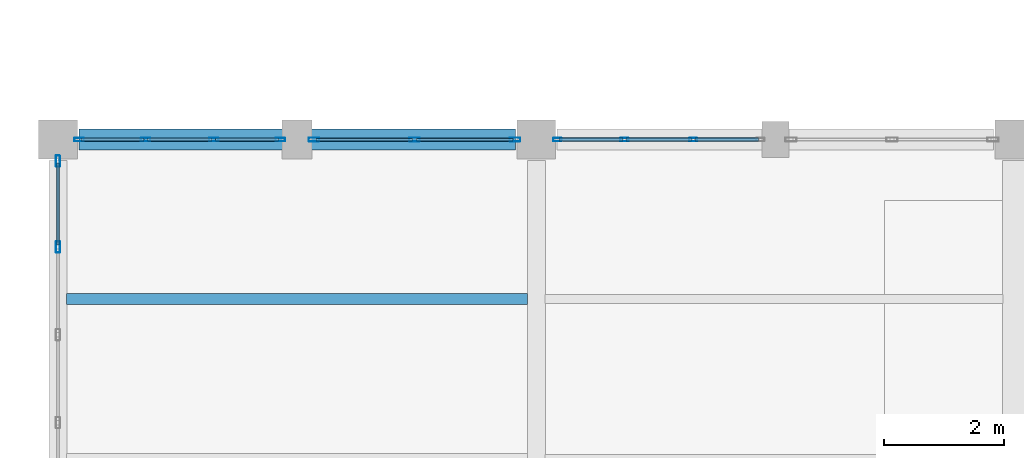
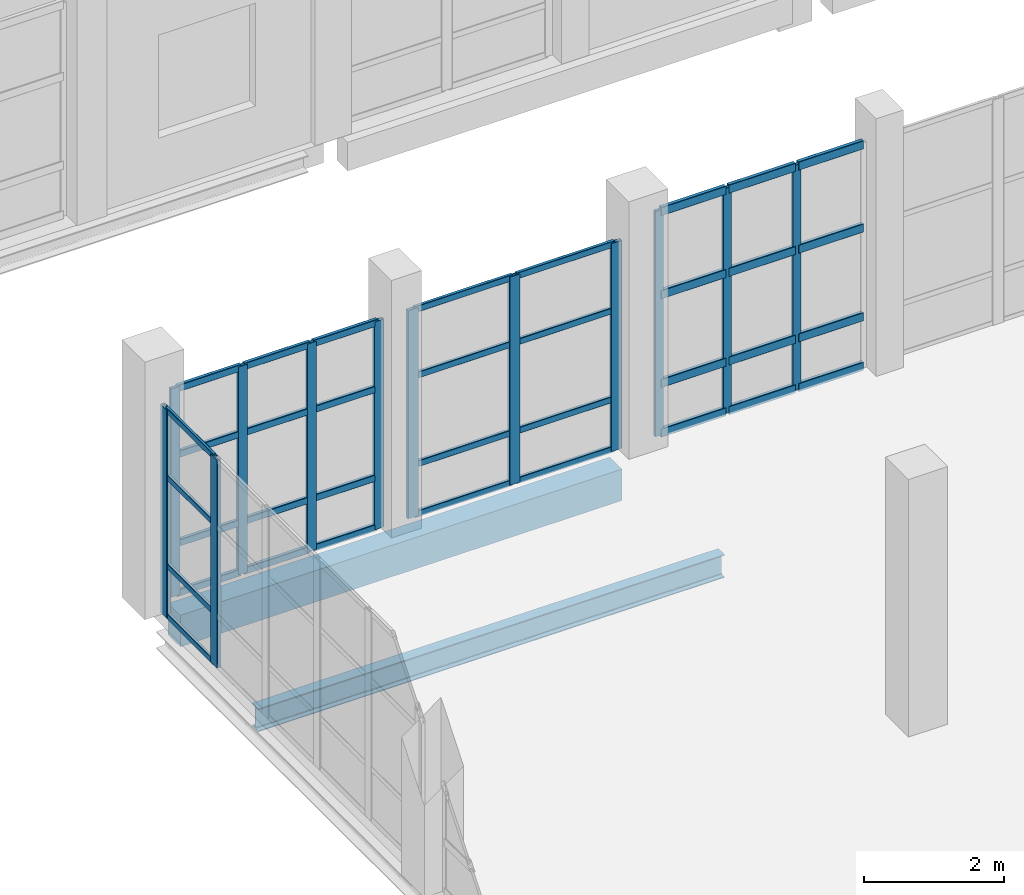
# One storey, part 21 of 183: 48 members, 2 beams, 4 elements without a shape of their own.
"""IFC4 building model written with IfcOpenShell, lengths in metres."""

from ifc_helpers import new_model, si_unit, direction, frame, origin, origin_2d, place, context, subcontext, project, spatial, rectangle, hollow_rectangle, i_section, extrude, material, material_profile, profile_set, type_object, element, aggregate, save


model = new_model("IFC4")

# Units and contexts
model_context = context("Model", 3, precision=1e-05, world=origin(), true_north=direction((0.0, 1.0)))
body_context = subcontext(model_context, "Body", "Model", "MODEL_VIEW")
ifc_project = project(units=[si_unit("LENGTHUNIT", "METRE"), si_unit("AREAUNIT", "SQUARE_METRE"), si_unit("VOLUMEUNIT", "CUBIC_METRE"), si_unit("PLANEANGLEUNIT", "RADIAN"), si_unit("MASSUNIT", "GRAM", prefix="KILO")], contexts=[model_context])

# Site, building, storey
site_placement = place(None, origin())
site = spatial("IfcSite", under=ifc_project, at=site_placement, CompositionType="ELEMENT")
building_placement = place(site_placement, origin())
building = spatial("IfcBuilding", under=site, at=building_placement, Name="Luwemba Playhouse", CompositionType="ELEMENT")
storey_placement = place(building_placement, frame((0.0, 0.0, 4.800048828125)))
storey = spatial("IfcBuildingStorey", under=building, at=storey_placement, Name="L01", CompositionType="ELEMENT", Elevation=4.800048828125)

# Beams
ifc_material_1 = material(Name="Steel S355", Category="steel")
ifc_material_profile_1 = material_profile(ifc_material_1, i_section(OverallWidth=0.179931640625, OverallDepth=0.39990234375, WebThickness=0.008544921875, FlangeThickness=0.013427734375, FilletRadius=0.02099609375, at=origin_2d()))
ifc_profile_set_1 = profile_set([ifc_material_profile_1], Name="Steel S355")
beam_type_1 = type_object("IfcBeamType", Name="BM-SJ08", PredefinedType="JOIST", material=ifc_profile_set_1)
beam_1_placement = place(storey_placement, frame((4.14599609375, 24.333251953125, -0.449951171875), z_axis=(1.0, 0.0, 0.0), x_axis=(0.0, 1.0, 0.0)))
element("IfcBeam", 1, at=beam_1_placement, inside=storey, type_object=beam_type_1, Name="L01 composite floor joist 0279", PredefinedType="JOIST", context=body_context, shape_type="SweptSolid", body=[
    extrude(i_section(OverallWidth=0.179931640625, OverallDepth=0.39990234375, WebThickness=0.008544921875, FlangeThickness=0.013427734375, FilletRadius=0.02099609375, at=origin_2d()), origin(), (0.0, 0.0, 1.0), 7.7080078125),
])
ifc_material_2 = material(Name="Concrete C40/50", Category="concrete")
ifc_material_profile_2 = material_profile(ifc_material_2, rectangle(XDim=0.35009765625, YDim=0.550048828125, at=origin_2d()))
ifc_profile_set_2 = profile_set([ifc_material_profile_2], Name="Concrete C40/50")
beam_type_2 = type_object("IfcBeamType", Name="BM-SP2", PredefinedType="SPANDREL", material=ifc_profile_set_2)
beam_2_placement = place(storey_placement, frame((4.35009765625, 27.0, -0.525146484375), z_axis=(1.0, 0.0, 0.0), x_axis=(0.0, 1.0, 0.0)))
element("IfcBeam", 2, at=beam_2_placement, inside=storey, type_object=beam_type_2, Name="L01 grid girder 0489", PredefinedType="SPANDREL", context=body_context, shape_type="SweptSolid", body=[
    extrude(rectangle(XDim=0.35009765625, YDim=0.550048828125, at=origin_2d()), origin(), (0.0, 0.0, 1.0), 7.2998046875),
])

# Curtain wall, members
ifc_material_3 = material(Name="Solar-control double glazing", Category="glass")
curtain_wall_type_1 = type_object("IfcCurtainWallType", Name="CW-CW92", PredefinedType="USERDEFINED", material=ifc_material_3)
curtain_wall_1_placement = place(storey_placement, origin())
curtain_wall_1 = element("IfcCurtainWall", 3, at=curtain_wall_1_placement, inside=storey, type_object=curtain_wall_type_1, Name="L01 V5W unitised curtain wall 122", ObjectType="UNITISED GLAZING", PredefinedType="USERDEFINED")
ifc_material_4 = material(Name="Aluminium 6063-T6", Category="aluminium")
ifc_material_profile_3 = material_profile(ifc_material_4, hollow_rectangle(XDim=0.06005859375, YDim=0.159912109375, WallThickness=0.00390625, InnerFilletRadius=0.006103515625, OuterFilletRadius=0.010009765625, at=origin_2d()))
ifc_profile_set_3 = profile_set([ifc_material_profile_3], Name="Aluminium 6063-T6")
member_type_1 = type_object("IfcMemberType", Name="CWM-M1", PredefinedType="MULLION", material=ifc_profile_set_3)
member_1_placement = place(storey_placement, frame((4.35498046875, 27.0, 0.0), z_axis=(0.0, 0.0, 1.0), x_axis=(0.0, 1.0, 0.0)))
member_1 = element("IfcMember", 4, at=member_1_placement, type_object=member_type_1, Name="CW92 mullion 1", PredefinedType="MULLION", context=body_context, shape_type="SweptSolid", body=[
    extrude(hollow_rectangle(XDim=0.06005859375, YDim=0.159912109375, WallThickness=0.00390625, InnerFilletRadius=0.006103515625, OuterFilletRadius=0.010009765625, at=origin_2d()), origin(), (0.0, 0.0, 1.0), 3.635009765625),
])
member_2_placement = place(storey_placement, frame((5.466552734375, 27.0, 0.0), z_axis=(0.0, 0.0, 1.0), x_axis=(0.0, 1.0, 0.0)))
member_2 = element("IfcMember", 5, at=member_2_placement, type_object=member_type_1, Name="CW92 mullion 2", PredefinedType="MULLION", context=body_context, shape_type="SweptSolid", body=[
    extrude(hollow_rectangle(XDim=0.06005859375, YDim=0.159912109375, WallThickness=0.00390625, InnerFilletRadius=0.006103515625, OuterFilletRadius=0.010009765625, at=origin_2d()), origin(), (0.0, 0.0, 1.0), 3.635009765625),
])
member_3_placement = place(storey_placement, frame((6.6083984375, 27.0, 0.0), z_axis=(0.0, 0.0, 1.0), x_axis=(0.0, 1.0, 0.0)))
member_3 = element("IfcMember", 6, at=member_3_placement, type_object=member_type_1, Name="CW92 mullion 3", PredefinedType="MULLION", context=body_context, shape_type="SweptSolid", body=[
    extrude(hollow_rectangle(XDim=0.06005859375, YDim=0.159912109375, WallThickness=0.00390625, InnerFilletRadius=0.006103515625, OuterFilletRadius=0.010009765625, at=origin_2d()), origin(), (0.0, 0.0, 1.0), 3.635009765625),
])
member_4_placement = place(storey_placement, frame((7.719970703125, 27.0, 0.0), z_axis=(0.0, 0.0, 1.0), x_axis=(0.0, 1.0, 0.0)))
member_4 = element("IfcMember", 7, at=member_4_placement, type_object=member_type_1, Name="CW92 mullion 4", PredefinedType="MULLION", context=body_context, shape_type="SweptSolid", body=[
    extrude(hollow_rectangle(XDim=0.06005859375, YDim=0.159912109375, WallThickness=0.00390625, InnerFilletRadius=0.006103515625, OuterFilletRadius=0.010009765625, at=origin_2d()), origin(), (0.0, 0.0, 1.0), 3.635009765625),
])

curtain_wall_type_2 = type_object("IfcCurtainWallType", Name="CW-CW93", PredefinedType="USERDEFINED", material=ifc_material_3)
curtain_wall_2_placement = place(storey_placement, origin())
curtain_wall_2 = element("IfcCurtainWall", 8, at=curtain_wall_2_placement, inside=storey, type_object=curtain_wall_type_2, Name="L01 V5W unitised curtain wall 123", ObjectType="UNITISED GLAZING", PredefinedType="USERDEFINED")
ifc_material_profile_4 = material_profile(ifc_material_4, hollow_rectangle(XDim=0.06494140625, YDim=0.179931640625, WallThickness=0.00439453125, InnerFilletRadius=0.0068359375, OuterFilletRadius=0.01123046875, at=origin_2d()))
ifc_profile_set_4 = profile_set([ifc_material_profile_4], Name="Aluminium 6063-T6")
member_type_2 = type_object("IfcMemberType", Name="CWM-M2", PredefinedType="MULLION", material=ifc_profile_set_4)
member_5_placement = place(storey_placement, frame((8.282470703125, 27.0, 0.0), z_axis=(0.0, 0.0, 1.0), x_axis=(0.0, 1.0, 0.0)))
member_5 = element("IfcMember", 9, at=member_5_placement, type_object=member_type_2, Name="CW93 mullion 1", PredefinedType="MULLION", context=body_context, shape_type="SweptSolid", body=[
    extrude(hollow_rectangle(XDim=0.06494140625, YDim=0.179931640625, WallThickness=0.00439453125, InnerFilletRadius=0.0068359375, OuterFilletRadius=0.01123046875, at=origin_2d()), origin(), (0.0, 0.0, 1.0), 3.635009765625),
])
member_6_placement = place(storey_placement, frame((9.96240234375, 27.0, 0.0), z_axis=(0.0, 0.0, 1.0), x_axis=(0.0, 1.0, 0.0)))
member_6 = element("IfcMember", 10, at=member_6_placement, type_object=member_type_2, Name="CW93 mullion 2", PredefinedType="MULLION", context=body_context, shape_type="SweptSolid", body=[
    extrude(hollow_rectangle(XDim=0.06494140625, YDim=0.179931640625, WallThickness=0.00439453125, InnerFilletRadius=0.0068359375, OuterFilletRadius=0.01123046875, at=origin_2d()), origin(), (0.0, 0.0, 1.0), 3.635009765625),
])
member_7_placement = place(storey_placement, frame((11.642578125, 27.0, 0.0), z_axis=(0.0, 0.0, 1.0), x_axis=(0.0, 1.0, 0.0)))
member_7 = element("IfcMember", 11, at=member_7_placement, type_object=member_type_2, Name="CW93 mullion 3", PredefinedType="MULLION", context=body_context, shape_type="SweptSolid", body=[
    extrude(hollow_rectangle(XDim=0.06494140625, YDim=0.179931640625, WallThickness=0.00439453125, InnerFilletRadius=0.0068359375, OuterFilletRadius=0.01123046875, at=origin_2d()), origin(), (0.0, 0.0, 1.0), 3.635009765625),
])

curtain_wall_type_3 = type_object("IfcCurtainWallType", Name="CW-CW94", PredefinedType="USERDEFINED", material=ifc_material_3)
curtain_wall_3_placement = place(storey_placement, origin())
curtain_wall_3 = element("IfcCurtainWall", 12, at=curtain_wall_3_placement, inside=storey, type_object=curtain_wall_type_3, Name="L01 V5W unitised curtain wall 124", ObjectType="UNITISED GLAZING", PredefinedType="USERDEFINED")
ifc_material_profile_5 = material_profile(ifc_material_4, hollow_rectangle(XDim=0.054931640625, YDim=0.139892578125, WallThickness=0.00390625, InnerFilletRadius=0.006103515625, OuterFilletRadius=0.010009765625, at=origin_2d()))
ifc_profile_set_5 = profile_set([ifc_material_profile_5], Name="Aluminium 6063-T6")
member_type_3 = type_object("IfcMemberType", Name="CWM-M3", PredefinedType="MULLION", material=ifc_profile_set_5)
member_8_placement = place(storey_placement, frame((12.3525390625, 27.0, 0.0), z_axis=(0.0, 0.0, 1.0), x_axis=(0.0, 1.0, 0.0)))
member_8 = element("IfcMember", 13, at=member_8_placement, type_object=member_type_3, Name="CW94 mullion 1", PredefinedType="MULLION", context=body_context, shape_type="SweptSolid", body=[
    extrude(hollow_rectangle(XDim=0.054931640625, YDim=0.139892578125, WallThickness=0.00390625, InnerFilletRadius=0.006103515625, OuterFilletRadius=0.010009765625, at=origin_2d()), origin(), (0.0, 0.0, 1.0), 3.93505859375),
])
member_9_placement = place(storey_placement, frame((13.47509765625, 27.0, 0.0), z_axis=(0.0, 0.0, 1.0), x_axis=(0.0, 1.0, 0.0)))
member_9 = element("IfcMember", 14, at=member_9_placement, type_object=member_type_3, Name="CW94 mullion 2", PredefinedType="MULLION", context=body_context, shape_type="SweptSolid", body=[
    extrude(hollow_rectangle(XDim=0.054931640625, YDim=0.139892578125, WallThickness=0.00390625, InnerFilletRadius=0.006103515625, OuterFilletRadius=0.010009765625, at=origin_2d()), origin(), (0.0, 0.0, 1.0), 3.93505859375),
])
member_10_placement = place(storey_placement, frame((14.625, 27.0, 0.0), z_axis=(0.0, 0.0, 1.0), x_axis=(0.0, 1.0, 0.0)))
member_10 = element("IfcMember", 15, at=member_10_placement, type_object=member_type_3, Name="CW94 mullion 3", PredefinedType="MULLION", context=body_context, shape_type="SweptSolid", body=[
    extrude(hollow_rectangle(XDim=0.054931640625, YDim=0.139892578125, WallThickness=0.00390625, InnerFilletRadius=0.006103515625, OuterFilletRadius=0.010009765625, at=origin_2d()), origin(), (0.0, 0.0, 1.0), 3.93505859375),
])

curtain_wall_type_4 = type_object("IfcCurtainWallType", Name="CW-CW91", PredefinedType="USERDEFINED", material=ifc_material_3)
curtain_wall_4_placement = place(storey_placement, origin())
curtain_wall_4 = element("IfcCurtainWall", 16, at=curtain_wall_4_placement, inside=storey, type_object=curtain_wall_type_4, Name="L01 V5W unitised curtain wall 121", ObjectType="UNITISED GLAZING", PredefinedType="USERDEFINED")
ifc_material_profile_6 = material_profile(ifc_material_4, hollow_rectangle(XDim=0.070068359375, YDim=0.18994140625, WallThickness=0.0048828125, InnerFilletRadius=0.007568359375, OuterFilletRadius=0.012451171875, at=origin_2d()))
ifc_profile_set_6 = profile_set([ifc_material_profile_6], Name="Aluminium 6063-T6")
member_type_4 = type_object("IfcMemberType", Name="CWM-M4", PredefinedType="MULLION", material=ifc_profile_set_6)
member_11_placement = place(storey_placement, frame((4.0, 25.205078125, 0.0), z_axis=(0.0, 0.0, 1.0), x_axis=(-1.0, 0.0, 0.0)))
member_11 = element("IfcMember", 17, at=member_11_placement, type_object=member_type_4, Name="CW91 mullion 5", PredefinedType="MULLION", context=body_context, shape_type="SweptSolid", body=[
    extrude(hollow_rectangle(XDim=0.070068359375, YDim=0.18994140625, WallThickness=0.0048828125, InnerFilletRadius=0.007568359375, OuterFilletRadius=0.012451171875, at=origin_2d()), origin(), (0.0, 0.0, 1.0), 3.635009765625),
])
member_12_placement = place(storey_placement, frame((4.0, 26.639892578125, 0.0), z_axis=(0.0, 0.0, 1.0), x_axis=(-1.0, 0.0, 0.0)))
member_12 = element("IfcMember", 18, at=member_12_placement, type_object=member_type_4, Name="CW91 mullion 6", PredefinedType="MULLION", context=body_context, shape_type="SweptSolid", body=[
    extrude(hollow_rectangle(XDim=0.070068359375, YDim=0.18994140625, WallThickness=0.0048828125, InnerFilletRadius=0.007568359375, OuterFilletRadius=0.012451171875, at=origin_2d()), origin(), (0.0, 0.0, 1.0), 3.635009765625),
])

# Member
ifc_material_profile_7 = material_profile(ifc_material_4, hollow_rectangle(XDim=0.06005859375, YDim=0.1201171875, WallThickness=0.00390625, InnerFilletRadius=0.006103515625, OuterFilletRadius=0.010009765625, at=origin_2d()))
ifc_profile_set_7 = profile_set([ifc_material_profile_7], Name="Aluminium 6063-T6")
member_type_5 = type_object("IfcMemberType", Name="CWT-T1", PredefinedType="USERDEFINED", material=ifc_profile_set_7)
member_13_placement = place(storey_placement, frame((4.385009765625, 27.0, 0.030029296875), z_axis=(1.0, 0.0, 0.0), x_axis=(0.0, 1.0, 0.0)))
member_13 = element("IfcMember", 19, at=member_13_placement, type_object=member_type_5, Name="CW92 transom 1.1", ObjectType="TRANSOM", PredefinedType="USERDEFINED", context=body_context, shape_type="SweptSolid", body=[
    extrude(hollow_rectangle(XDim=0.06005859375, YDim=0.1201171875, WallThickness=0.00390625, InnerFilletRadius=0.006103515625, OuterFilletRadius=0.010009765625, at=origin_2d()), origin(), (0.0, 0.0, 1.0), 1.0517578125),
])

member_14_placement = place(storey_placement, frame((4.385009765625, 27.0, 0.89990234375), z_axis=(1.0, 0.0, 0.0), x_axis=(0.0, 1.0, 0.0)))
member_14 = element("IfcMember", 20, at=member_14_placement, type_object=member_type_5, Name="CW92 transom 1.2", ObjectType="TRANSOM", PredefinedType="USERDEFINED", context=body_context, shape_type="SweptSolid", body=[
    extrude(hollow_rectangle(XDim=0.06005859375, YDim=0.1201171875, WallThickness=0.00390625, InnerFilletRadius=0.006103515625, OuterFilletRadius=0.010009765625, at=origin_2d()), origin(), (0.0, 0.0, 1.0), 1.0517578125),
])

member_15_placement = place(storey_placement, frame((4.385009765625, 27.0, 2.449951171875), z_axis=(1.0, 0.0, 0.0), x_axis=(0.0, 1.0, 0.0)))
member_15 = element("IfcMember", 21, at=member_15_placement, type_object=member_type_5, Name="CW92 transom 1.3", ObjectType="TRANSOM", PredefinedType="USERDEFINED", context=body_context, shape_type="SweptSolid", body=[
    extrude(hollow_rectangle(XDim=0.06005859375, YDim=0.1201171875, WallThickness=0.00390625, InnerFilletRadius=0.006103515625, OuterFilletRadius=0.010009765625, at=origin_2d()), origin(), (0.0, 0.0, 1.0), 1.0517578125),
])

member_16_placement = place(storey_placement, frame((4.385009765625, 27.0, 3.60498046875), z_axis=(1.0, 0.0, 0.0), x_axis=(0.0, 1.0, 0.0)))
member_16 = element("IfcMember", 22, at=member_16_placement, type_object=member_type_5, Name="CW92 transom 1.4", ObjectType="TRANSOM", PredefinedType="USERDEFINED", context=body_context, shape_type="SweptSolid", body=[
    extrude(hollow_rectangle(XDim=0.06005859375, YDim=0.1201171875, WallThickness=0.00390625, InnerFilletRadius=0.006103515625, OuterFilletRadius=0.010009765625, at=origin_2d()), origin(), (0.0, 0.0, 1.0), 1.0517578125),
])

member_17_placement = place(storey_placement, frame((5.49658203125, 27.0, 0.030029296875), z_axis=(1.0, 0.0, 0.0), x_axis=(0.0, 1.0, 0.0)))
member_17 = element("IfcMember", 23, at=member_17_placement, type_object=member_type_5, Name="CW92 transom 2.1", ObjectType="TRANSOM", PredefinedType="USERDEFINED", context=body_context, shape_type="SweptSolid", body=[
    extrude(hollow_rectangle(XDim=0.06005859375, YDim=0.1201171875, WallThickness=0.00390625, InnerFilletRadius=0.006103515625, OuterFilletRadius=0.010009765625, at=origin_2d()), origin(), (0.0, 0.0, 1.0), 1.081787109375),
])

member_18_placement = place(storey_placement, frame((5.49658203125, 27.0, 0.89990234375), z_axis=(1.0, 0.0, 0.0), x_axis=(0.0, 1.0, 0.0)))
member_18 = element("IfcMember", 24, at=member_18_placement, type_object=member_type_5, Name="CW92 transom 2.2", ObjectType="TRANSOM", PredefinedType="USERDEFINED", context=body_context, shape_type="SweptSolid", body=[
    extrude(hollow_rectangle(XDim=0.06005859375, YDim=0.1201171875, WallThickness=0.00390625, InnerFilletRadius=0.006103515625, OuterFilletRadius=0.010009765625, at=origin_2d()), origin(), (0.0, 0.0, 1.0), 1.081787109375),
])

member_19_placement = place(storey_placement, frame((5.49658203125, 27.0, 2.449951171875), z_axis=(1.0, 0.0, 0.0), x_axis=(0.0, 1.0, 0.0)))
member_19 = element("IfcMember", 25, at=member_19_placement, type_object=member_type_5, Name="CW92 transom 2.3", ObjectType="TRANSOM", PredefinedType="USERDEFINED", context=body_context, shape_type="SweptSolid", body=[
    extrude(hollow_rectangle(XDim=0.06005859375, YDim=0.1201171875, WallThickness=0.00390625, InnerFilletRadius=0.006103515625, OuterFilletRadius=0.010009765625, at=origin_2d()), origin(), (0.0, 0.0, 1.0), 1.081787109375),
])

member_20_placement = place(storey_placement, frame((5.49658203125, 27.0, 3.60498046875), z_axis=(1.0, 0.0, 0.0), x_axis=(0.0, 1.0, 0.0)))
member_20 = element("IfcMember", 26, at=member_20_placement, type_object=member_type_5, Name="CW92 transom 2.4", ObjectType="TRANSOM", PredefinedType="USERDEFINED", context=body_context, shape_type="SweptSolid", body=[
    extrude(hollow_rectangle(XDim=0.06005859375, YDim=0.1201171875, WallThickness=0.00390625, InnerFilletRadius=0.006103515625, OuterFilletRadius=0.010009765625, at=origin_2d()), origin(), (0.0, 0.0, 1.0), 1.081787109375),
])

member_21_placement = place(storey_placement, frame((6.638427734375, 27.0, 0.030029296875), z_axis=(1.0, 0.0, 0.0), x_axis=(0.0, 1.0, 0.0)))
member_21 = element("IfcMember", 27, at=member_21_placement, type_object=member_type_5, Name="CW92 transom 3.1", ObjectType="TRANSOM", PredefinedType="USERDEFINED", context=body_context, shape_type="SweptSolid", body=[
    extrude(hollow_rectangle(XDim=0.06005859375, YDim=0.1201171875, WallThickness=0.00390625, InnerFilletRadius=0.006103515625, OuterFilletRadius=0.010009765625, at=origin_2d()), origin(), (0.0, 0.0, 1.0), 1.051513671875),
])

member_22_placement = place(storey_placement, frame((6.638427734375, 27.0, 0.89990234375), z_axis=(1.0, 0.0, 0.0), x_axis=(0.0, 1.0, 0.0)))
member_22 = element("IfcMember", 28, at=member_22_placement, type_object=member_type_5, Name="CW92 transom 3.2", ObjectType="TRANSOM", PredefinedType="USERDEFINED", context=body_context, shape_type="SweptSolid", body=[
    extrude(hollow_rectangle(XDim=0.06005859375, YDim=0.1201171875, WallThickness=0.00390625, InnerFilletRadius=0.006103515625, OuterFilletRadius=0.010009765625, at=origin_2d()), origin(), (0.0, 0.0, 1.0), 1.051513671875),
])

member_23_placement = place(storey_placement, frame((6.638427734375, 27.0, 2.449951171875), z_axis=(1.0, 0.0, 0.0), x_axis=(0.0, 1.0, 0.0)))
member_23 = element("IfcMember", 29, at=member_23_placement, type_object=member_type_5, Name="CW92 transom 3.3", ObjectType="TRANSOM", PredefinedType="USERDEFINED", context=body_context, shape_type="SweptSolid", body=[
    extrude(hollow_rectangle(XDim=0.06005859375, YDim=0.1201171875, WallThickness=0.00390625, InnerFilletRadius=0.006103515625, OuterFilletRadius=0.010009765625, at=origin_2d()), origin(), (0.0, 0.0, 1.0), 1.051513671875),
])

member_24_placement = place(storey_placement, frame((6.638427734375, 27.0, 3.60498046875), z_axis=(1.0, 0.0, 0.0), x_axis=(0.0, 1.0, 0.0)))
member_24 = element("IfcMember", 30, at=member_24_placement, type_object=member_type_5, Name="CW92 transom 3.4", ObjectType="TRANSOM", PredefinedType="USERDEFINED", context=body_context, shape_type="SweptSolid", body=[
    extrude(hollow_rectangle(XDim=0.06005859375, YDim=0.1201171875, WallThickness=0.00390625, InnerFilletRadius=0.006103515625, OuterFilletRadius=0.010009765625, at=origin_2d()), origin(), (0.0, 0.0, 1.0), 1.051513671875),
])

aggregate(curtain_wall_1, [member_1, member_2, member_3, member_4, member_13, member_14, member_15, member_16, member_17, member_18, member_19, member_20, member_21, member_22, member_23, member_24])

ifc_material_profile_8 = material_profile(ifc_material_4, hollow_rectangle(XDim=0.054931640625, YDim=0.110107421875, WallThickness=0.00341796875, InnerFilletRadius=0.00537109375, OuterFilletRadius=0.0087890625, at=origin_2d()))
ifc_profile_set_8 = profile_set([ifc_material_profile_8], Name="Aluminium 6063-T6")
member_type_6 = type_object("IfcMemberType", Name="CWT-T2", PredefinedType="USERDEFINED", material=ifc_profile_set_8)
member_25_placement = place(storey_placement, frame((8.31494140625, 27.0, 0.02734375), z_axis=(1.0, 0.0, 0.0), x_axis=(0.0, 1.0, 0.0)))
member_25 = element("IfcMember", 31, at=member_25_placement, type_object=member_type_6, Name="CW93 transom 1.1", ObjectType="TRANSOM", PredefinedType="USERDEFINED", context=body_context, shape_type="SweptSolid", body=[
    extrude(hollow_rectangle(XDim=0.054931640625, YDim=0.110107421875, WallThickness=0.00341796875, InnerFilletRadius=0.00537109375, OuterFilletRadius=0.0087890625, at=origin_2d()), origin(), (0.0, 0.0, 1.0), 1.614990234375),
])

member_26_placement = place(storey_placement, frame((8.31494140625, 27.0, 0.89990234375), z_axis=(1.0, 0.0, 0.0), x_axis=(0.0, 1.0, 0.0)))
member_26 = element("IfcMember", 32, at=member_26_placement, type_object=member_type_6, Name="CW93 transom 1.2", ObjectType="TRANSOM", PredefinedType="USERDEFINED", context=body_context, shape_type="SweptSolid", body=[
    extrude(hollow_rectangle(XDim=0.054931640625, YDim=0.110107421875, WallThickness=0.00341796875, InnerFilletRadius=0.00537109375, OuterFilletRadius=0.0087890625, at=origin_2d()), origin(), (0.0, 0.0, 1.0), 1.614990234375),
])

member_27_placement = place(storey_placement, frame((8.31494140625, 27.0, 2.449951171875), z_axis=(1.0, 0.0, 0.0), x_axis=(0.0, 1.0, 0.0)))
member_27 = element("IfcMember", 33, at=member_27_placement, type_object=member_type_6, Name="CW93 transom 1.3", ObjectType="TRANSOM", PredefinedType="USERDEFINED", context=body_context, shape_type="SweptSolid", body=[
    extrude(hollow_rectangle(XDim=0.054931640625, YDim=0.110107421875, WallThickness=0.00341796875, InnerFilletRadius=0.00537109375, OuterFilletRadius=0.0087890625, at=origin_2d()), origin(), (0.0, 0.0, 1.0), 1.614990234375),
])

member_28_placement = place(storey_placement, frame((8.31494140625, 27.0, 3.607421875), z_axis=(1.0, 0.0, 0.0), x_axis=(0.0, 1.0, 0.0)))
member_28 = element("IfcMember", 34, at=member_28_placement, type_object=member_type_6, Name="CW93 transom 1.4", ObjectType="TRANSOM", PredefinedType="USERDEFINED", context=body_context, shape_type="SweptSolid", body=[
    extrude(hollow_rectangle(XDim=0.054931640625, YDim=0.110107421875, WallThickness=0.00341796875, InnerFilletRadius=0.00537109375, OuterFilletRadius=0.0087890625, at=origin_2d()), origin(), (0.0, 0.0, 1.0), 1.614990234375),
])

member_29_placement = place(storey_placement, frame((9.9951171875, 27.0, 0.02734375), z_axis=(1.0, 0.0, 0.0), x_axis=(0.0, 1.0, 0.0)))
member_29 = element("IfcMember", 35, at=member_29_placement, type_object=member_type_6, Name="CW93 transom 2.1", ObjectType="TRANSOM", PredefinedType="USERDEFINED", context=body_context, shape_type="SweptSolid", body=[
    extrude(hollow_rectangle(XDim=0.054931640625, YDim=0.110107421875, WallThickness=0.00341796875, InnerFilletRadius=0.00537109375, OuterFilletRadius=0.0087890625, at=origin_2d()), origin(), (0.0, 0.0, 1.0), 1.614990234375),
])

member_30_placement = place(storey_placement, frame((9.9951171875, 27.0, 0.89990234375), z_axis=(1.0, 0.0, 0.0), x_axis=(0.0, 1.0, 0.0)))
member_30 = element("IfcMember", 36, at=member_30_placement, type_object=member_type_6, Name="CW93 transom 2.2", ObjectType="TRANSOM", PredefinedType="USERDEFINED", context=body_context, shape_type="SweptSolid", body=[
    extrude(hollow_rectangle(XDim=0.054931640625, YDim=0.110107421875, WallThickness=0.00341796875, InnerFilletRadius=0.00537109375, OuterFilletRadius=0.0087890625, at=origin_2d()), origin(), (0.0, 0.0, 1.0), 1.614990234375),
])

member_31_placement = place(storey_placement, frame((9.9951171875, 27.0, 2.449951171875), z_axis=(1.0, 0.0, 0.0), x_axis=(0.0, 1.0, 0.0)))
member_31 = element("IfcMember", 37, at=member_31_placement, type_object=member_type_6, Name="CW93 transom 2.3", ObjectType="TRANSOM", PredefinedType="USERDEFINED", context=body_context, shape_type="SweptSolid", body=[
    extrude(hollow_rectangle(XDim=0.054931640625, YDim=0.110107421875, WallThickness=0.00341796875, InnerFilletRadius=0.00537109375, OuterFilletRadius=0.0087890625, at=origin_2d()), origin(), (0.0, 0.0, 1.0), 1.614990234375),
])

member_32_placement = place(storey_placement, frame((9.9951171875, 27.0, 3.607421875), z_axis=(1.0, 0.0, 0.0), x_axis=(0.0, 1.0, 0.0)))
member_32 = element("IfcMember", 38, at=member_32_placement, type_object=member_type_6, Name="CW93 transom 2.4", ObjectType="TRANSOM", PredefinedType="USERDEFINED", context=body_context, shape_type="SweptSolid", body=[
    extrude(hollow_rectangle(XDim=0.054931640625, YDim=0.110107421875, WallThickness=0.00341796875, InnerFilletRadius=0.00537109375, OuterFilletRadius=0.0087890625, at=origin_2d()), origin(), (0.0, 0.0, 1.0), 1.614990234375),
])

aggregate(curtain_wall_2, [member_5, member_6, member_7, member_25, member_26, member_27, member_28, member_29, member_30, member_31, member_32])

ifc_material_profile_9 = material_profile(ifc_material_4, hollow_rectangle(XDim=0.06494140625, YDim=0.14990234375, WallThickness=0.00390625, InnerFilletRadius=0.006103515625, OuterFilletRadius=0.010009765625, at=origin_2d()))
ifc_profile_set_9 = profile_set([ifc_material_profile_9], Name="Aluminium 6063-T6")
member_type_7 = type_object("IfcMemberType", Name="CWT-T3", PredefinedType="USERDEFINED", material=ifc_profile_set_9)
member_33_placement = place(storey_placement, frame((12.3798828125, 27.0, 0.032470703125), z_axis=(1.0, 0.0, 0.0), x_axis=(0.0, 1.0, 0.0)))
member_33 = element("IfcMember", 39, at=member_33_placement, type_object=member_type_7, Name="CW94 transom 1.1", ObjectType="TRANSOM", PredefinedType="USERDEFINED", context=body_context, shape_type="SweptSolid", body=[
    extrude(hollow_rectangle(XDim=0.06494140625, YDim=0.14990234375, WallThickness=0.00390625, InnerFilletRadius=0.006103515625, OuterFilletRadius=0.010009765625, at=origin_2d()), origin(), (0.0, 0.0, 1.0), 1.067626953125),
])

member_34_placement = place(storey_placement, frame((12.3798828125, 27.0, 0.89990234375), z_axis=(1.0, 0.0, 0.0), x_axis=(0.0, 1.0, 0.0)))
member_34 = element("IfcMember", 40, at=member_34_placement, type_object=member_type_7, Name="CW94 transom 1.2", ObjectType="TRANSOM", PredefinedType="USERDEFINED", context=body_context, shape_type="SweptSolid", body=[
    extrude(hollow_rectangle(XDim=0.06494140625, YDim=0.14990234375, WallThickness=0.00390625, InnerFilletRadius=0.006103515625, OuterFilletRadius=0.010009765625, at=origin_2d()), origin(), (0.0, 0.0, 1.0), 1.067626953125),
])

member_35_placement = place(storey_placement, frame((12.3798828125, 27.0, 2.449951171875), z_axis=(1.0, 0.0, 0.0), x_axis=(0.0, 1.0, 0.0)))
member_35 = element("IfcMember", 41, at=member_35_placement, type_object=member_type_7, Name="CW94 transom 1.3", ObjectType="TRANSOM", PredefinedType="USERDEFINED", context=body_context, shape_type="SweptSolid", body=[
    extrude(hollow_rectangle(XDim=0.06494140625, YDim=0.14990234375, WallThickness=0.00390625, InnerFilletRadius=0.006103515625, OuterFilletRadius=0.010009765625, at=origin_2d()), origin(), (0.0, 0.0, 1.0), 1.067626953125),
])

member_36_placement = place(storey_placement, frame((12.3798828125, 27.0, 3.90234375), z_axis=(1.0, 0.0, 0.0), x_axis=(0.0, 1.0, 0.0)))
member_36 = element("IfcMember", 42, at=member_36_placement, type_object=member_type_7, Name="CW94 transom 1.4", ObjectType="TRANSOM", PredefinedType="USERDEFINED", context=body_context, shape_type="SweptSolid", body=[
    extrude(hollow_rectangle(XDim=0.06494140625, YDim=0.14990234375, WallThickness=0.00390625, InnerFilletRadius=0.006103515625, OuterFilletRadius=0.010009765625, at=origin_2d()), origin(), (0.0, 0.0, 1.0), 1.067626953125),
])

member_37_placement = place(storey_placement, frame((13.50244140625, 27.0, 0.032470703125), z_axis=(1.0, 0.0, 0.0), x_axis=(0.0, 1.0, 0.0)))
member_37 = element("IfcMember", 43, at=member_37_placement, type_object=member_type_7, Name="CW94 transom 2.1", ObjectType="TRANSOM", PredefinedType="USERDEFINED", context=body_context, shape_type="SweptSolid", body=[
    extrude(hollow_rectangle(XDim=0.06494140625, YDim=0.14990234375, WallThickness=0.00390625, InnerFilletRadius=0.006103515625, OuterFilletRadius=0.010009765625, at=origin_2d()), origin(), (0.0, 0.0, 1.0), 1.094970703125),
])

member_38_placement = place(storey_placement, frame((13.50244140625, 27.0, 0.89990234375), z_axis=(1.0, 0.0, 0.0), x_axis=(0.0, 1.0, 0.0)))
member_38 = element("IfcMember", 44, at=member_38_placement, type_object=member_type_7, Name="CW94 transom 2.2", ObjectType="TRANSOM", PredefinedType="USERDEFINED", context=body_context, shape_type="SweptSolid", body=[
    extrude(hollow_rectangle(XDim=0.06494140625, YDim=0.14990234375, WallThickness=0.00390625, InnerFilletRadius=0.006103515625, OuterFilletRadius=0.010009765625, at=origin_2d()), origin(), (0.0, 0.0, 1.0), 1.094970703125),
])

member_39_placement = place(storey_placement, frame((13.50244140625, 27.0, 2.449951171875), z_axis=(1.0, 0.0, 0.0), x_axis=(0.0, 1.0, 0.0)))
member_39 = element("IfcMember", 45, at=member_39_placement, type_object=member_type_7, Name="CW94 transom 2.3", ObjectType="TRANSOM", PredefinedType="USERDEFINED", context=body_context, shape_type="SweptSolid", body=[
    extrude(hollow_rectangle(XDim=0.06494140625, YDim=0.14990234375, WallThickness=0.00390625, InnerFilletRadius=0.006103515625, OuterFilletRadius=0.010009765625, at=origin_2d()), origin(), (0.0, 0.0, 1.0), 1.094970703125),
])

member_40_placement = place(storey_placement, frame((13.50244140625, 27.0, 3.90234375), z_axis=(1.0, 0.0, 0.0), x_axis=(0.0, 1.0, 0.0)))
member_40 = element("IfcMember", 46, at=member_40_placement, type_object=member_type_7, Name="CW94 transom 2.4", ObjectType="TRANSOM", PredefinedType="USERDEFINED", context=body_context, shape_type="SweptSolid", body=[
    extrude(hollow_rectangle(XDim=0.06494140625, YDim=0.14990234375, WallThickness=0.00390625, InnerFilletRadius=0.006103515625, OuterFilletRadius=0.010009765625, at=origin_2d()), origin(), (0.0, 0.0, 1.0), 1.094970703125),
])

member_41_placement = place(storey_placement, frame((14.652587890625, 27.0, 0.032470703125), z_axis=(1.0, 0.0, 0.0), x_axis=(0.0, 1.0, 0.0)))
member_41 = element("IfcMember", 47, at=member_41_placement, type_object=member_type_7, Name="CW94 transom 3.1", ObjectType="TRANSOM", PredefinedType="USERDEFINED", context=body_context, shape_type="SweptSolid", body=[
    extrude(hollow_rectangle(XDim=0.06494140625, YDim=0.14990234375, WallThickness=0.00390625, InnerFilletRadius=0.006103515625, OuterFilletRadius=0.010009765625, at=origin_2d()), origin(), (0.0, 0.0, 1.0), 1.0673828125),
])

member_42_placement = place(storey_placement, frame((14.652587890625, 27.0, 0.89990234375), z_axis=(1.0, 0.0, 0.0), x_axis=(0.0, 1.0, 0.0)))
member_42 = element("IfcMember", 48, at=member_42_placement, type_object=member_type_7, Name="CW94 transom 3.2", ObjectType="TRANSOM", PredefinedType="USERDEFINED", context=body_context, shape_type="SweptSolid", body=[
    extrude(hollow_rectangle(XDim=0.06494140625, YDim=0.14990234375, WallThickness=0.00390625, InnerFilletRadius=0.006103515625, OuterFilletRadius=0.010009765625, at=origin_2d()), origin(), (0.0, 0.0, 1.0), 1.0673828125),
])

member_43_placement = place(storey_placement, frame((14.652587890625, 27.0, 2.449951171875), z_axis=(1.0, 0.0, 0.0), x_axis=(0.0, 1.0, 0.0)))
member_43 = element("IfcMember", 49, at=member_43_placement, type_object=member_type_7, Name="CW94 transom 3.3", ObjectType="TRANSOM", PredefinedType="USERDEFINED", context=body_context, shape_type="SweptSolid", body=[
    extrude(hollow_rectangle(XDim=0.06494140625, YDim=0.14990234375, WallThickness=0.00390625, InnerFilletRadius=0.006103515625, OuterFilletRadius=0.010009765625, at=origin_2d()), origin(), (0.0, 0.0, 1.0), 1.0673828125),
])

member_44_placement = place(storey_placement, frame((14.652587890625, 27.0, 3.90234375), z_axis=(1.0, 0.0, 0.0), x_axis=(0.0, 1.0, 0.0)))
member_44 = element("IfcMember", 50, at=member_44_placement, type_object=member_type_7, Name="CW94 transom 3.4", ObjectType="TRANSOM", PredefinedType="USERDEFINED", context=body_context, shape_type="SweptSolid", body=[
    extrude(hollow_rectangle(XDim=0.06494140625, YDim=0.14990234375, WallThickness=0.00390625, InnerFilletRadius=0.006103515625, OuterFilletRadius=0.010009765625, at=origin_2d()), origin(), (0.0, 0.0, 1.0), 1.0673828125),
])

aggregate(curtain_wall_3, [member_8, member_9, member_10, member_33, member_34, member_35, member_36, member_37, member_38, member_39, member_40, member_41, member_42, member_43, member_44])

ifc_material_profile_10 = material_profile(ifc_material_4, hollow_rectangle(XDim=0.050048828125, YDim=0.10009765625, WallThickness=0.00341796875, InnerFilletRadius=0.00537109375, OuterFilletRadius=0.0087890625, at=origin_2d()))
ifc_profile_set_10 = profile_set([ifc_material_profile_10], Name="Aluminium 6063-T6")
member_type_8 = type_object("IfcMemberType", Name="CWT-T4", PredefinedType="USERDEFINED", material=ifc_profile_set_10)
member_45_placement = place(storey_placement, frame((4.0, 25.239990234375, 0.02490234375), z_axis=(0.0, 1.0, 0.0), x_axis=(-1.0, 0.0, 0.0)))
member_45 = element("IfcMember", 51, at=member_45_placement, type_object=member_type_8, Name="CW91 transom 5.1", ObjectType="TRANSOM", PredefinedType="USERDEFINED", context=body_context, shape_type="SweptSolid", body=[
    extrude(hollow_rectangle(XDim=0.050048828125, YDim=0.10009765625, WallThickness=0.00341796875, InnerFilletRadius=0.00537109375, OuterFilletRadius=0.0087890625, at=origin_2d()), origin(), (0.0, 0.0, 1.0), 1.364990234375),
])

member_46_placement = place(storey_placement, frame((4.0, 25.239990234375, 0.89990234375), z_axis=(0.0, 1.0, 0.0), x_axis=(-1.0, 0.0, 0.0)))
member_46 = element("IfcMember", 52, at=member_46_placement, type_object=member_type_8, Name="CW91 transom 5.2", ObjectType="TRANSOM", PredefinedType="USERDEFINED", context=body_context, shape_type="SweptSolid", body=[
    extrude(hollow_rectangle(XDim=0.050048828125, YDim=0.10009765625, WallThickness=0.00341796875, InnerFilletRadius=0.00537109375, OuterFilletRadius=0.0087890625, at=origin_2d()), origin(), (0.0, 0.0, 1.0), 1.364990234375),
])

member_47_placement = place(storey_placement, frame((4.0, 25.239990234375, 2.449951171875), z_axis=(0.0, 1.0, 0.0), x_axis=(-1.0, 0.0, 0.0)))
member_47 = element("IfcMember", 53, at=member_47_placement, type_object=member_type_8, Name="CW91 transom 5.3", ObjectType="TRANSOM", PredefinedType="USERDEFINED", context=body_context, shape_type="SweptSolid", body=[
    extrude(hollow_rectangle(XDim=0.050048828125, YDim=0.10009765625, WallThickness=0.00341796875, InnerFilletRadius=0.00537109375, OuterFilletRadius=0.0087890625, at=origin_2d()), origin(), (0.0, 0.0, 1.0), 1.364990234375),
])

member_48_placement = place(storey_placement, frame((4.0, 25.239990234375, 3.60986328125), z_axis=(0.0, 1.0, 0.0), x_axis=(-1.0, 0.0, 0.0)))
member_48 = element("IfcMember", 54, at=member_48_placement, type_object=member_type_8, Name="CW91 transom 5.4", ObjectType="TRANSOM", PredefinedType="USERDEFINED", context=body_context, shape_type="SweptSolid", body=[
    extrude(hollow_rectangle(XDim=0.050048828125, YDim=0.10009765625, WallThickness=0.00341796875, InnerFilletRadius=0.00537109375, OuterFilletRadius=0.0087890625, at=origin_2d()), origin(), (0.0, 0.0, 1.0), 1.364990234375),
])

aggregate(curtain_wall_4, [member_11, member_12, member_45, member_46, member_47, member_48])

save(model, "model.ifc")
